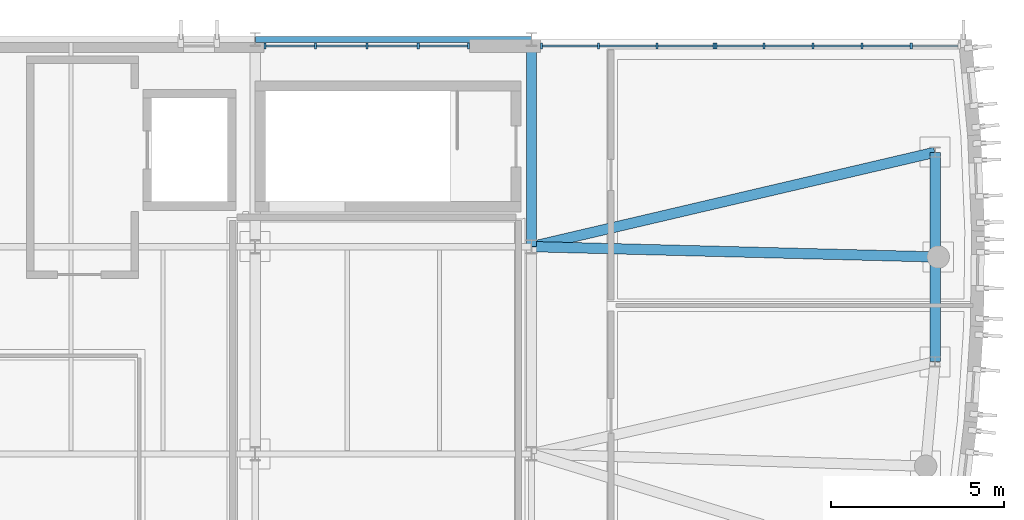
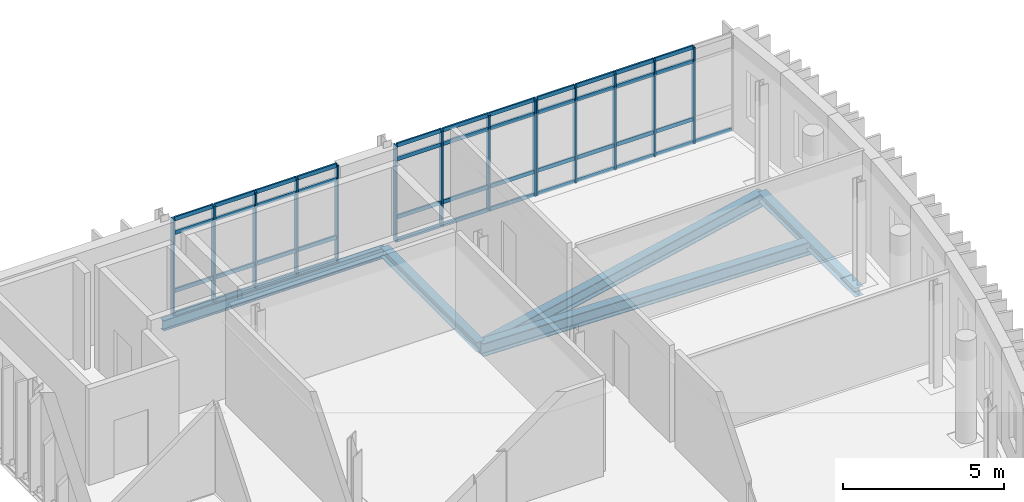
# One storey, part 3 of 9: 59 members, 5 beams, 3 elements without a shape of their own.
"""IFC4 building model written with IfcOpenShell, lengths in metres."""

from ifc_helpers import new_model, si_unit, direction, frame, origin, origin_2d, place, context, subcontext, project, spatial, rectangle, i_section, extrude, material, material_profile, profile_set, type_object, element, aggregate, save


model = new_model("IFC4")

# Units and contexts
model_context = context("Model", 3, precision=1e-05, world=origin(), true_north=direction((0.0, 1.0)))
body_context = subcontext(model_context, "Body", "Model", "MODEL_VIEW")
ifc_project = project(units=[si_unit("LENGTHUNIT", "METRE"), si_unit("AREAUNIT", "SQUARE_METRE"), si_unit("VOLUMEUNIT", "CUBIC_METRE"), si_unit("PLANEANGLEUNIT", "RADIAN"), si_unit("MASSUNIT", "GRAM", prefix="KILO")], contexts=[model_context])

# Site, building, storey
site_placement = place(None, origin())
site = spatial("IfcSite", under=ifc_project, at=site_placement, CompositionType="ELEMENT")
building_placement = place(site_placement, origin())
building = spatial("IfcBuilding", under=site, at=building_placement, Name="Cymarion Research Institute", CompositionType="ELEMENT")
storey_placement = place(building_placement, frame((0.0, 0.0, 42.300048828125)))
storey = spatial("IfcBuildingStorey", under=building, at=storey_placement, Name="L10", CompositionType="ELEMENT", Elevation=42.300048828125)

# Curtain wall, members
ifc_material_1 = material(Name="Anodised aluminium unitised curtain wall with Low-E glazing", Category="aluminium")
curtain_wall_type_1 = type_object("IfcCurtainWallType", Name="UNITISED CURTAIN WALL CW79 7100X3660", PredefinedType="NOTDEFINED", material=ifc_material_1)
curtain_wall_1_placement = place(storey_placement, origin())
curtain_wall_1 = element("IfcCurtainWall", 1, at=curtain_wall_1_placement, inside=storey, type_object=curtain_wall_type_1, Name="L10 V1 unitised curtain wall CW79 #255", PredefinedType="NOTDEFINED")
ifc_material_2 = material(Name="Anodised aluminium framing", Category="aluminium")
ifc_material_profile_1 = material_profile(ifc_material_2, rectangle(XDim=0.06005859375, YDim=0.179931640625, at=origin_2d()), Name="ALU MULLION 60x180")
ifc_profile_set_1 = profile_set([ifc_material_profile_1], Name="Anodised aluminium framing")
member_type_1 = type_object("IfcMemberType", Name="CURTAIN WALL MULLION ML01 60X180", PredefinedType="MULLION", material=ifc_profile_set_1)
member_1_placement = place(storey_placement, frame((165.59521484375, 29.31005859375, 0.0), z_axis=(0.0, 0.0, 1.0), x_axis=(-1.0, 0.0, 0.0)))
member_1 = element("IfcMember", 2, at=member_1_placement, type_object=member_type_1, Name="CW79 mullion 2", PredefinedType="MULLION", context=body_context, shape_type="SweptSolid", body=[
    extrude(rectangle(XDim=0.06005859375, YDim=0.179931640625, at=origin_2d()), origin(), (0.0, 0.0, 1.0), 3.659912109375),
])
member_2_placement = place(storey_placement, frame((164.17431640625, 29.31005859375, 0.0), z_axis=(0.0, 0.0, 1.0), x_axis=(-1.0, 0.0, 0.0)))
member_2 = element("IfcMember", 3, at=member_2_placement, type_object=member_type_1, Name="CW79 mullion 3", PredefinedType="MULLION", context=body_context, shape_type="SweptSolid", body=[
    extrude(rectangle(XDim=0.06005859375, YDim=0.179931640625, at=origin_2d()), origin(), (0.0, 0.0, 1.0), 3.659912109375),
])
member_3_placement = place(storey_placement, frame((162.75341796875, 29.31005859375, 0.0), z_axis=(0.0, 0.0, 1.0), x_axis=(-1.0, 0.0, 0.0)))
member_3 = element("IfcMember", 4, at=member_3_placement, type_object=member_type_1, Name="CW79 mullion 4", PredefinedType="MULLION", context=body_context, shape_type="SweptSolid", body=[
    extrude(rectangle(XDim=0.06005859375, YDim=0.179931640625, at=origin_2d()), origin(), (0.0, 0.0, 1.0), 3.659912109375),
])
member_4_placement = place(storey_placement, frame((161.332763671875, 29.31005859375, 0.0), z_axis=(0.0, 0.0, 1.0), x_axis=(-1.0, 0.0, 0.0)))
member_4 = element("IfcMember", 5, at=member_4_placement, type_object=member_type_1, Name="CW79 mullion 5", PredefinedType="MULLION", context=body_context, shape_type="SweptSolid", body=[
    extrude(rectangle(XDim=0.06005859375, YDim=0.179931640625, at=origin_2d()), origin(), (0.0, 0.0, 1.0), 3.659912109375),
])
member_5_placement = place(storey_placement, frame((159.94189453125, 29.31005859375, 0.0), z_axis=(0.0, 0.0, 1.0), x_axis=(-1.0, 0.0, 0.0)))
member_5 = element("IfcMember", 6, at=member_5_placement, type_object=member_type_1, Name="CW79 mullion 6", PredefinedType="MULLION", context=body_context, shape_type="SweptSolid", body=[
    extrude(rectangle(XDim=0.06005859375, YDim=0.179931640625, at=origin_2d()), origin(), (0.0, 0.0, 1.0), 3.659912109375),
])

curtain_wall_type_2 = type_object("IfcCurtainWallType", Name="UNITISED CURTAIN WALL CW80 5050X3660", PredefinedType="NOTDEFINED", material=ifc_material_1)
curtain_wall_2_placement = place(storey_placement, origin())
curtain_wall_2 = element("IfcCurtainWall", 7, at=curtain_wall_2_placement, inside=storey, type_object=curtain_wall_type_2, Name="L10 V1 unitised curtain wall CW80 #256", PredefinedType="NOTDEFINED")
member_6_placement = place(storey_placement, frame((159.8818359375, 29.31005859375, 0.0), z_axis=(0.0, 0.0, 1.0), x_axis=(-1.0, 0.0, 0.0)))
member_6 = element("IfcMember", 8, at=member_6_placement, type_object=member_type_1, Name="CW80 mullion 1", PredefinedType="MULLION", context=body_context, shape_type="SweptSolid", body=[
    extrude(rectangle(XDim=0.06005859375, YDim=0.179931640625, at=origin_2d()), origin(), (0.0, 0.0, 1.0), 3.659912109375),
])
member_7_placement = place(storey_placement, frame((158.22802734375, 29.31005859375, 0.0), z_axis=(0.0, 0.0, 1.0), x_axis=(-1.0, 0.0, 0.0)))
member_7 = element("IfcMember", 9, at=member_7_placement, type_object=member_type_1, Name="CW80 mullion 2", PredefinedType="MULLION", context=body_context, shape_type="SweptSolid", body=[
    extrude(rectangle(XDim=0.06005859375, YDim=0.179931640625, at=origin_2d()), origin(), (0.0, 0.0, 1.0), 3.659912109375),
])
member_8_placement = place(storey_placement, frame((156.5439453125, 29.31005859375, 0.0), z_axis=(0.0, 0.0, 1.0), x_axis=(-1.0, 0.0, 0.0)))
member_8 = element("IfcMember", 10, at=member_8_placement, type_object=member_type_1, Name="CW80 mullion 3", PredefinedType="MULLION", context=body_context, shape_type="SweptSolid", body=[
    extrude(rectangle(XDim=0.06005859375, YDim=0.179931640625, at=origin_2d()), origin(), (0.0, 0.0, 1.0), 3.659912109375),
])
member_9_placement = place(storey_placement, frame((154.889892578125, 29.31005859375, 0.0), z_axis=(0.0, 0.0, 1.0), x_axis=(-1.0, 0.0, 0.0)))
member_9 = element("IfcMember", 11, at=member_9_placement, type_object=member_type_1, Name="CW80 mullion 4", PredefinedType="MULLION", context=body_context, shape_type="SweptSolid", body=[
    extrude(rectangle(XDim=0.06005859375, YDim=0.179931640625, at=origin_2d()), origin(), (0.0, 0.0, 1.0), 3.659912109375),
])

curtain_wall_type_3 = type_object("IfcCurtainWallType", Name="UNITISED CURTAIN WALL CW81 5950X3660", PredefinedType="NOTDEFINED", material=ifc_material_1)
curtain_wall_3_placement = place(storey_placement, origin())
curtain_wall_3 = element("IfcCurtainWall", 12, at=curtain_wall_3_placement, inside=storey, type_object=curtain_wall_type_3, Name="L10 V1 unitised curtain wall CW81 #257", PredefinedType="NOTDEFINED")
member_10_placement = place(storey_placement, frame((152.77783203125, 29.31005859375, 0.0), z_axis=(0.0, 0.0, 1.0), x_axis=(-1.0, 0.0, 0.0)))
member_10 = element("IfcMember", 13, at=member_10_placement, type_object=member_type_1, Name="CW81 mullion 1", PredefinedType="MULLION", context=body_context, shape_type="SweptSolid", body=[
    extrude(rectangle(XDim=0.06005859375, YDim=0.179931640625, at=origin_2d()), origin(), (0.0, 0.0, 1.0), 3.659912109375),
])
member_11_placement = place(storey_placement, frame((151.321044921875, 29.31005859375, 0.0), z_axis=(0.0, 0.0, 1.0), x_axis=(-1.0, 0.0, 0.0)))
member_11 = element("IfcMember", 14, at=member_11_placement, type_object=member_type_1, Name="CW81 mullion 2", PredefinedType="MULLION", context=body_context, shape_type="SweptSolid", body=[
    extrude(rectangle(XDim=0.06005859375, YDim=0.179931640625, at=origin_2d()), origin(), (0.0, 0.0, 1.0), 3.659912109375),
])
member_12_placement = place(storey_placement, frame((149.833984375, 29.31005859375, 0.0), z_axis=(0.0, 0.0, 1.0), x_axis=(-1.0, 0.0, 0.0)))
member_12 = element("IfcMember", 15, at=member_12_placement, type_object=member_type_1, Name="CW81 mullion 3", PredefinedType="MULLION", context=body_context, shape_type="SweptSolid", body=[
    extrude(rectangle(XDim=0.06005859375, YDim=0.179931640625, at=origin_2d()), origin(), (0.0, 0.0, 1.0), 3.659912109375),
])
member_13_placement = place(storey_placement, frame((148.346923828125, 29.31005859375, 0.0), z_axis=(0.0, 0.0, 1.0), x_axis=(-1.0, 0.0, 0.0)))
member_13 = element("IfcMember", 16, at=member_13_placement, type_object=member_type_1, Name="CW81 mullion 4", PredefinedType="MULLION", context=body_context, shape_type="SweptSolid", body=[
    extrude(rectangle(XDim=0.06005859375, YDim=0.179931640625, at=origin_2d()), origin(), (0.0, 0.0, 1.0), 3.659912109375),
])
member_14_placement = place(storey_placement, frame((146.889892578125, 29.31005859375, 0.0), z_axis=(0.0, 0.0, 1.0), x_axis=(-1.0, 0.0, 0.0)))
member_14 = element("IfcMember", 17, at=member_14_placement, type_object=member_type_1, Name="CW81 mullion 5", PredefinedType="MULLION", context=body_context, shape_type="SweptSolid", body=[
    extrude(rectangle(XDim=0.06005859375, YDim=0.179931640625, at=origin_2d()), origin(), (0.0, 0.0, 1.0), 3.659912109375),
])

# Member
ifc_material_profile_2 = material_profile(ifc_material_2, rectangle(XDim=0.06005859375, YDim=0.14990234375, at=origin_2d()), Name="ALU TRANSOM 60x150")
ifc_profile_set_2 = profile_set([ifc_material_profile_2], Name="Anodised aluminium framing")
member_type_2 = type_object("IfcMemberType", Name="CURTAIN WALL TRANSOM TR01 60X150", PredefinedType="USERDEFINED", material=ifc_profile_set_2)
member_15_placement = place(storey_placement, frame((166.955810546875, 29.31005859375, 0.030029296875), z_axis=(-1.0, 0.0, 0.0), x_axis=(0.0, -1.0, 0.0)))
member_15 = element("IfcMember", 18, at=member_15_placement, type_object=member_type_2, Name="CW79 transom 1.1", ObjectType="TRANSOM", PredefinedType="USERDEFINED", context=body_context, shape_type="SweptSolid", body=[
    extrude(rectangle(XDim=0.06005859375, YDim=0.14990234375, at=origin_2d()), origin(), (0.0, 0.0, 1.0), 1.330810546875),
])

member_16_placement = place(storey_placement, frame((165.565185546875, 29.31005859375, 0.030029296875), z_axis=(-1.0, 0.0, 0.0), x_axis=(0.0, -1.0, 0.0)))
member_16 = element("IfcMember", 19, at=member_16_placement, type_object=member_type_2, Name="CW79 transom 2.1", ObjectType="TRANSOM", PredefinedType="USERDEFINED", context=body_context, shape_type="SweptSolid", body=[
    extrude(rectangle(XDim=0.06005859375, YDim=0.14990234375, at=origin_2d()), origin(), (0.0, 0.0, 1.0), 1.36083984375),
])

member_17_placement = place(storey_placement, frame((165.565185546875, 29.31005859375, 0.89990234375), z_axis=(-1.0, 0.0, 0.0), x_axis=(0.0, -1.0, 0.0)))
member_17 = element("IfcMember", 20, at=member_17_placement, type_object=member_type_2, Name="CW79 transom 2.2", ObjectType="TRANSOM", PredefinedType="USERDEFINED", context=body_context, shape_type="SweptSolid", body=[
    extrude(rectangle(XDim=0.06005859375, YDim=0.14990234375, at=origin_2d()), origin(), (0.0, 0.0, 1.0), 1.36083984375),
])

member_18_placement = place(storey_placement, frame((165.565185546875, 29.31005859375, 3.10986328125), z_axis=(-1.0, 0.0, 0.0), x_axis=(0.0, -1.0, 0.0)))
member_18 = element("IfcMember", 21, at=member_18_placement, type_object=member_type_2, Name="CW79 transom 2.3", ObjectType="TRANSOM", PredefinedType="USERDEFINED", context=body_context, shape_type="SweptSolid", body=[
    extrude(rectangle(XDim=0.06005859375, YDim=0.14990234375, at=origin_2d()), origin(), (0.0, 0.0, 1.0), 1.36083984375),
])

member_19_placement = place(storey_placement, frame((165.565185546875, 29.31005859375, 3.6298828125), z_axis=(-1.0, 0.0, 0.0), x_axis=(0.0, -1.0, 0.0)))
member_19 = element("IfcMember", 22, at=member_19_placement, type_object=member_type_2, Name="CW79 transom 2.4", ObjectType="TRANSOM", PredefinedType="USERDEFINED", context=body_context, shape_type="SweptSolid", body=[
    extrude(rectangle(XDim=0.06005859375, YDim=0.14990234375, at=origin_2d()), origin(), (0.0, 0.0, 1.0), 1.36083984375),
])

member_20_placement = place(storey_placement, frame((164.144287109375, 29.31005859375, 0.030029296875), z_axis=(-1.0, 0.0, 0.0), x_axis=(0.0, -1.0, 0.0)))
member_20 = element("IfcMember", 23, at=member_20_placement, type_object=member_type_2, Name="CW79 transom 3.1", ObjectType="TRANSOM", PredefinedType="USERDEFINED", context=body_context, shape_type="SweptSolid", body=[
    extrude(rectangle(XDim=0.06005859375, YDim=0.14990234375, at=origin_2d()), origin(), (0.0, 0.0, 1.0), 1.36083984375),
])

member_21_placement = place(storey_placement, frame((164.144287109375, 29.31005859375, 0.89990234375), z_axis=(-1.0, 0.0, 0.0), x_axis=(0.0, -1.0, 0.0)))
member_21 = element("IfcMember", 24, at=member_21_placement, type_object=member_type_2, Name="CW79 transom 3.2", ObjectType="TRANSOM", PredefinedType="USERDEFINED", context=body_context, shape_type="SweptSolid", body=[
    extrude(rectangle(XDim=0.06005859375, YDim=0.14990234375, at=origin_2d()), origin(), (0.0, 0.0, 1.0), 1.36083984375),
])

member_22_placement = place(storey_placement, frame((164.144287109375, 29.31005859375, 3.10986328125), z_axis=(-1.0, 0.0, 0.0), x_axis=(0.0, -1.0, 0.0)))
member_22 = element("IfcMember", 25, at=member_22_placement, type_object=member_type_2, Name="CW79 transom 3.3", ObjectType="TRANSOM", PredefinedType="USERDEFINED", context=body_context, shape_type="SweptSolid", body=[
    extrude(rectangle(XDim=0.06005859375, YDim=0.14990234375, at=origin_2d()), origin(), (0.0, 0.0, 1.0), 1.36083984375),
])

member_23_placement = place(storey_placement, frame((164.144287109375, 29.31005859375, 3.6298828125), z_axis=(-1.0, 0.0, 0.0), x_axis=(0.0, -1.0, 0.0)))
member_23 = element("IfcMember", 26, at=member_23_placement, type_object=member_type_2, Name="CW79 transom 3.4", ObjectType="TRANSOM", PredefinedType="USERDEFINED", context=body_context, shape_type="SweptSolid", body=[
    extrude(rectangle(XDim=0.06005859375, YDim=0.14990234375, at=origin_2d()), origin(), (0.0, 0.0, 1.0), 1.36083984375),
])

member_24_placement = place(storey_placement, frame((162.723388671875, 29.31005859375, 0.030029296875), z_axis=(-1.0, 0.0, 0.0), x_axis=(0.0, -1.0, 0.0)))
member_24 = element("IfcMember", 27, at=member_24_placement, type_object=member_type_2, Name="CW79 transom 4.1", ObjectType="TRANSOM", PredefinedType="USERDEFINED", context=body_context, shape_type="SweptSolid", body=[
    extrude(rectangle(XDim=0.06005859375, YDim=0.14990234375, at=origin_2d()), origin(), (0.0, 0.0, 1.0), 1.360595703125),
])

member_25_placement = place(storey_placement, frame((162.723388671875, 29.31005859375, 0.89990234375), z_axis=(-1.0, 0.0, 0.0), x_axis=(0.0, -1.0, 0.0)))
member_25 = element("IfcMember", 28, at=member_25_placement, type_object=member_type_2, Name="CW79 transom 4.2", ObjectType="TRANSOM", PredefinedType="USERDEFINED", context=body_context, shape_type="SweptSolid", body=[
    extrude(rectangle(XDim=0.06005859375, YDim=0.14990234375, at=origin_2d()), origin(), (0.0, 0.0, 1.0), 1.360595703125),
])

member_26_placement = place(storey_placement, frame((162.723388671875, 29.31005859375, 3.10986328125), z_axis=(-1.0, 0.0, 0.0), x_axis=(0.0, -1.0, 0.0)))
member_26 = element("IfcMember", 29, at=member_26_placement, type_object=member_type_2, Name="CW79 transom 4.3", ObjectType="TRANSOM", PredefinedType="USERDEFINED", context=body_context, shape_type="SweptSolid", body=[
    extrude(rectangle(XDim=0.06005859375, YDim=0.14990234375, at=origin_2d()), origin(), (0.0, 0.0, 1.0), 1.360595703125),
])

member_27_placement = place(storey_placement, frame((162.723388671875, 29.31005859375, 3.6298828125), z_axis=(-1.0, 0.0, 0.0), x_axis=(0.0, -1.0, 0.0)))
member_27 = element("IfcMember", 30, at=member_27_placement, type_object=member_type_2, Name="CW79 transom 4.4", ObjectType="TRANSOM", PredefinedType="USERDEFINED", context=body_context, shape_type="SweptSolid", body=[
    extrude(rectangle(XDim=0.06005859375, YDim=0.14990234375, at=origin_2d()), origin(), (0.0, 0.0, 1.0), 1.360595703125),
])

member_28_placement = place(storey_placement, frame((161.302734375, 29.31005859375, 0.030029296875), z_axis=(-1.0, 0.0, 0.0), x_axis=(0.0, -1.0, 0.0)))
member_28 = element("IfcMember", 31, at=member_28_placement, type_object=member_type_2, Name="CW79 transom 5.1", ObjectType="TRANSOM", PredefinedType="USERDEFINED", context=body_context, shape_type="SweptSolid", body=[
    extrude(rectangle(XDim=0.06005859375, YDim=0.14990234375, at=origin_2d()), origin(), (0.0, 0.0, 1.0), 1.330810546875),
])

member_29_placement = place(storey_placement, frame((161.302734375, 29.31005859375, 0.89990234375), z_axis=(-1.0, 0.0, 0.0), x_axis=(0.0, -1.0, 0.0)))
member_29 = element("IfcMember", 32, at=member_29_placement, type_object=member_type_2, Name="CW79 transom 5.2", ObjectType="TRANSOM", PredefinedType="USERDEFINED", context=body_context, shape_type="SweptSolid", body=[
    extrude(rectangle(XDim=0.06005859375, YDim=0.14990234375, at=origin_2d()), origin(), (0.0, 0.0, 1.0), 1.330810546875),
])

member_30_placement = place(storey_placement, frame((161.302734375, 29.31005859375, 3.10986328125), z_axis=(-1.0, 0.0, 0.0), x_axis=(0.0, -1.0, 0.0)))
member_30 = element("IfcMember", 33, at=member_30_placement, type_object=member_type_2, Name="CW79 transom 5.3", ObjectType="TRANSOM", PredefinedType="USERDEFINED", context=body_context, shape_type="SweptSolid", body=[
    extrude(rectangle(XDim=0.06005859375, YDim=0.14990234375, at=origin_2d()), origin(), (0.0, 0.0, 1.0), 1.330810546875),
])

member_31_placement = place(storey_placement, frame((161.302734375, 29.31005859375, 3.6298828125), z_axis=(-1.0, 0.0, 0.0), x_axis=(0.0, -1.0, 0.0)))
member_31 = element("IfcMember", 34, at=member_31_placement, type_object=member_type_2, Name="CW79 transom 5.4", ObjectType="TRANSOM", PredefinedType="USERDEFINED", context=body_context, shape_type="SweptSolid", body=[
    extrude(rectangle(XDim=0.06005859375, YDim=0.14990234375, at=origin_2d()), origin(), (0.0, 0.0, 1.0), 1.330810546875),
])

aggregate(curtain_wall_1, [member_1, member_2, member_3, member_4, member_5, member_15, member_16, member_17, member_18, member_19, member_20, member_21, member_22, member_23, member_24, member_25, member_26, member_27, member_28, member_29, member_30, member_31])

member_32_placement = place(storey_placement, frame((159.851806640625, 29.31005859375, 0.030029296875), z_axis=(-1.0, 0.0, 0.0), x_axis=(0.0, -1.0, 0.0)))
member_32 = element("IfcMember", 35, at=member_32_placement, type_object=member_type_2, Name="CW80 transom 1.1", ObjectType="TRANSOM", PredefinedType="USERDEFINED", context=body_context, shape_type="SweptSolid", body=[
    extrude(rectangle(XDim=0.06005859375, YDim=0.14990234375, at=origin_2d()), origin(), (0.0, 0.0, 1.0), 1.593994140625),
])

member_33_placement = place(storey_placement, frame((159.851806640625, 29.31005859375, 0.89990234375), z_axis=(-1.0, 0.0, 0.0), x_axis=(0.0, -1.0, 0.0)))
member_33 = element("IfcMember", 36, at=member_33_placement, type_object=member_type_2, Name="CW80 transom 1.2", ObjectType="TRANSOM", PredefinedType="USERDEFINED", context=body_context, shape_type="SweptSolid", body=[
    extrude(rectangle(XDim=0.06005859375, YDim=0.14990234375, at=origin_2d()), origin(), (0.0, 0.0, 1.0), 1.593994140625),
])

member_34_placement = place(storey_placement, frame((159.851806640625, 29.31005859375, 3.10986328125), z_axis=(-1.0, 0.0, 0.0), x_axis=(0.0, -1.0, 0.0)))
member_34 = element("IfcMember", 37, at=member_34_placement, type_object=member_type_2, Name="CW80 transom 1.3", ObjectType="TRANSOM", PredefinedType="USERDEFINED", context=body_context, shape_type="SweptSolid", body=[
    extrude(rectangle(XDim=0.06005859375, YDim=0.14990234375, at=origin_2d()), origin(), (0.0, 0.0, 1.0), 1.593994140625),
])

member_35_placement = place(storey_placement, frame((159.851806640625, 29.31005859375, 3.6298828125), z_axis=(-1.0, 0.0, 0.0), x_axis=(0.0, -1.0, 0.0)))
member_35 = element("IfcMember", 38, at=member_35_placement, type_object=member_type_2, Name="CW80 transom 1.4", ObjectType="TRANSOM", PredefinedType="USERDEFINED", context=body_context, shape_type="SweptSolid", body=[
    extrude(rectangle(XDim=0.06005859375, YDim=0.14990234375, at=origin_2d()), origin(), (0.0, 0.0, 1.0), 1.593994140625),
])

member_36_placement = place(storey_placement, frame((158.197998046875, 29.31005859375, 0.030029296875), z_axis=(-1.0, 0.0, 0.0), x_axis=(0.0, -1.0, 0.0)))
member_36 = element("IfcMember", 39, at=member_36_placement, type_object=member_type_2, Name="CW80 transom 2.1", ObjectType="TRANSOM", PredefinedType="USERDEFINED", context=body_context, shape_type="SweptSolid", body=[
    extrude(rectangle(XDim=0.06005859375, YDim=0.14990234375, at=origin_2d()), origin(), (0.0, 0.0, 1.0), 1.6240234375),
])

member_37_placement = place(storey_placement, frame((158.197998046875, 29.31005859375, 0.89990234375), z_axis=(-1.0, 0.0, 0.0), x_axis=(0.0, -1.0, 0.0)))
member_37 = element("IfcMember", 40, at=member_37_placement, type_object=member_type_2, Name="CW80 transom 2.2", ObjectType="TRANSOM", PredefinedType="USERDEFINED", context=body_context, shape_type="SweptSolid", body=[
    extrude(rectangle(XDim=0.06005859375, YDim=0.14990234375, at=origin_2d()), origin(), (0.0, 0.0, 1.0), 1.6240234375),
])

member_38_placement = place(storey_placement, frame((158.197998046875, 29.31005859375, 3.10986328125), z_axis=(-1.0, 0.0, 0.0), x_axis=(0.0, -1.0, 0.0)))
member_38 = element("IfcMember", 41, at=member_38_placement, type_object=member_type_2, Name="CW80 transom 2.3", ObjectType="TRANSOM", PredefinedType="USERDEFINED", context=body_context, shape_type="SweptSolid", body=[
    extrude(rectangle(XDim=0.06005859375, YDim=0.14990234375, at=origin_2d()), origin(), (0.0, 0.0, 1.0), 1.6240234375),
])

member_39_placement = place(storey_placement, frame((158.197998046875, 29.31005859375, 3.6298828125), z_axis=(-1.0, 0.0, 0.0), x_axis=(0.0, -1.0, 0.0)))
member_39 = element("IfcMember", 42, at=member_39_placement, type_object=member_type_2, Name="CW80 transom 2.4", ObjectType="TRANSOM", PredefinedType="USERDEFINED", context=body_context, shape_type="SweptSolid", body=[
    extrude(rectangle(XDim=0.06005859375, YDim=0.14990234375, at=origin_2d()), origin(), (0.0, 0.0, 1.0), 1.6240234375),
])

member_40_placement = place(storey_placement, frame((156.513916015625, 29.31005859375, 0.030029296875), z_axis=(-1.0, 0.0, 0.0), x_axis=(0.0, -1.0, 0.0)))
member_40 = element("IfcMember", 43, at=member_40_placement, type_object=member_type_2, Name="CW80 transom 3.1", ObjectType="TRANSOM", PredefinedType="USERDEFINED", context=body_context, shape_type="SweptSolid", body=[
    extrude(rectangle(XDim=0.06005859375, YDim=0.14990234375, at=origin_2d()), origin(), (0.0, 0.0, 1.0), 1.593994140625),
])

member_41_placement = place(storey_placement, frame((156.513916015625, 29.31005859375, 0.89990234375), z_axis=(-1.0, 0.0, 0.0), x_axis=(0.0, -1.0, 0.0)))
member_41 = element("IfcMember", 44, at=member_41_placement, type_object=member_type_2, Name="CW80 transom 3.2", ObjectType="TRANSOM", PredefinedType="USERDEFINED", context=body_context, shape_type="SweptSolid", body=[
    extrude(rectangle(XDim=0.06005859375, YDim=0.14990234375, at=origin_2d()), origin(), (0.0, 0.0, 1.0), 1.593994140625),
])

member_42_placement = place(storey_placement, frame((156.513916015625, 29.31005859375, 3.10986328125), z_axis=(-1.0, 0.0, 0.0), x_axis=(0.0, -1.0, 0.0)))
member_42 = element("IfcMember", 45, at=member_42_placement, type_object=member_type_2, Name="CW80 transom 3.3", ObjectType="TRANSOM", PredefinedType="USERDEFINED", context=body_context, shape_type="SweptSolid", body=[
    extrude(rectangle(XDim=0.06005859375, YDim=0.14990234375, at=origin_2d()), origin(), (0.0, 0.0, 1.0), 1.593994140625),
])

member_43_placement = place(storey_placement, frame((156.513916015625, 29.31005859375, 3.6298828125), z_axis=(-1.0, 0.0, 0.0), x_axis=(0.0, -1.0, 0.0)))
member_43 = element("IfcMember", 46, at=member_43_placement, type_object=member_type_2, Name="CW80 transom 3.4", ObjectType="TRANSOM", PredefinedType="USERDEFINED", context=body_context, shape_type="SweptSolid", body=[
    extrude(rectangle(XDim=0.06005859375, YDim=0.14990234375, at=origin_2d()), origin(), (0.0, 0.0, 1.0), 1.593994140625),
])

aggregate(curtain_wall_2, [member_6, member_7, member_8, member_9, member_32, member_33, member_34, member_35, member_36, member_37, member_38, member_39, member_40, member_41, member_42, member_43])

member_44_placement = place(storey_placement, frame((152.747802734375, 29.31005859375, 0.030029296875), z_axis=(-1.0, 0.0, 0.0), x_axis=(0.0, -1.0, 0.0)))
member_44 = element("IfcMember", 47, at=member_44_placement, type_object=member_type_2, Name="CW81 transom 1.1", ObjectType="TRANSOM", PredefinedType="USERDEFINED", context=body_context, shape_type="SweptSolid", body=[
    extrude(rectangle(XDim=0.06005859375, YDim=0.14990234375, at=origin_2d()), origin(), (0.0, 0.0, 1.0), 1.39697265625),
])

member_45_placement = place(storey_placement, frame((152.747802734375, 29.31005859375, 0.89990234375), z_axis=(-1.0, 0.0, 0.0), x_axis=(0.0, -1.0, 0.0)))
member_45 = element("IfcMember", 48, at=member_45_placement, type_object=member_type_2, Name="CW81 transom 1.2", ObjectType="TRANSOM", PredefinedType="USERDEFINED", context=body_context, shape_type="SweptSolid", body=[
    extrude(rectangle(XDim=0.06005859375, YDim=0.14990234375, at=origin_2d()), origin(), (0.0, 0.0, 1.0), 1.39697265625),
])

member_46_placement = place(storey_placement, frame((152.747802734375, 29.31005859375, 3.10986328125), z_axis=(-1.0, 0.0, 0.0), x_axis=(0.0, -1.0, 0.0)))
member_46 = element("IfcMember", 49, at=member_46_placement, type_object=member_type_2, Name="CW81 transom 1.3", ObjectType="TRANSOM", PredefinedType="USERDEFINED", context=body_context, shape_type="SweptSolid", body=[
    extrude(rectangle(XDim=0.06005859375, YDim=0.14990234375, at=origin_2d()), origin(), (0.0, 0.0, 1.0), 1.39697265625),
])

member_47_placement = place(storey_placement, frame((152.747802734375, 29.31005859375, 3.6298828125), z_axis=(-1.0, 0.0, 0.0), x_axis=(0.0, -1.0, 0.0)))
member_47 = element("IfcMember", 50, at=member_47_placement, type_object=member_type_2, Name="CW81 transom 1.4", ObjectType="TRANSOM", PredefinedType="USERDEFINED", context=body_context, shape_type="SweptSolid", body=[
    extrude(rectangle(XDim=0.06005859375, YDim=0.14990234375, at=origin_2d()), origin(), (0.0, 0.0, 1.0), 1.39697265625),
])

member_48_placement = place(storey_placement, frame((151.291015625, 29.31005859375, 0.030029296875), z_axis=(-1.0, 0.0, 0.0), x_axis=(0.0, -1.0, 0.0)))
member_48 = element("IfcMember", 51, at=member_48_placement, type_object=member_type_2, Name="CW81 transom 2.1", ObjectType="TRANSOM", PredefinedType="USERDEFINED", context=body_context, shape_type="SweptSolid", body=[
    extrude(rectangle(XDim=0.06005859375, YDim=0.14990234375, at=origin_2d()), origin(), (0.0, 0.0, 1.0), 1.427001953125),
])

member_49_placement = place(storey_placement, frame((151.291015625, 29.31005859375, 0.89990234375), z_axis=(-1.0, 0.0, 0.0), x_axis=(0.0, -1.0, 0.0)))
member_49 = element("IfcMember", 52, at=member_49_placement, type_object=member_type_2, Name="CW81 transom 2.2", ObjectType="TRANSOM", PredefinedType="USERDEFINED", context=body_context, shape_type="SweptSolid", body=[
    extrude(rectangle(XDim=0.06005859375, YDim=0.14990234375, at=origin_2d()), origin(), (0.0, 0.0, 1.0), 1.427001953125),
])

member_50_placement = place(storey_placement, frame((151.291015625, 29.31005859375, 3.10986328125), z_axis=(-1.0, 0.0, 0.0), x_axis=(0.0, -1.0, 0.0)))
member_50 = element("IfcMember", 53, at=member_50_placement, type_object=member_type_2, Name="CW81 transom 2.3", ObjectType="TRANSOM", PredefinedType="USERDEFINED", context=body_context, shape_type="SweptSolid", body=[
    extrude(rectangle(XDim=0.06005859375, YDim=0.14990234375, at=origin_2d()), origin(), (0.0, 0.0, 1.0), 1.427001953125),
])

member_51_placement = place(storey_placement, frame((151.291015625, 29.31005859375, 3.6298828125), z_axis=(-1.0, 0.0, 0.0), x_axis=(0.0, -1.0, 0.0)))
member_51 = element("IfcMember", 54, at=member_51_placement, type_object=member_type_2, Name="CW81 transom 2.4", ObjectType="TRANSOM", PredefinedType="USERDEFINED", context=body_context, shape_type="SweptSolid", body=[
    extrude(rectangle(XDim=0.06005859375, YDim=0.14990234375, at=origin_2d()), origin(), (0.0, 0.0, 1.0), 1.427001953125),
])

member_52_placement = place(storey_placement, frame((149.803955078125, 29.31005859375, 0.030029296875), z_axis=(-1.0, 0.0, 0.0), x_axis=(0.0, -1.0, 0.0)))
member_52 = element("IfcMember", 55, at=member_52_placement, type_object=member_type_2, Name="CW81 transom 3.1", ObjectType="TRANSOM", PredefinedType="USERDEFINED", context=body_context, shape_type="SweptSolid", body=[
    extrude(rectangle(XDim=0.06005859375, YDim=0.14990234375, at=origin_2d()), origin(), (0.0, 0.0, 1.0), 1.427001953125),
])

member_53_placement = place(storey_placement, frame((149.803955078125, 29.31005859375, 0.89990234375), z_axis=(-1.0, 0.0, 0.0), x_axis=(0.0, -1.0, 0.0)))
member_53 = element("IfcMember", 56, at=member_53_placement, type_object=member_type_2, Name="CW81 transom 3.2", ObjectType="TRANSOM", PredefinedType="USERDEFINED", context=body_context, shape_type="SweptSolid", body=[
    extrude(rectangle(XDim=0.06005859375, YDim=0.14990234375, at=origin_2d()), origin(), (0.0, 0.0, 1.0), 1.427001953125),
])

member_54_placement = place(storey_placement, frame((149.803955078125, 29.31005859375, 3.10986328125), z_axis=(-1.0, 0.0, 0.0), x_axis=(0.0, -1.0, 0.0)))
member_54 = element("IfcMember", 57, at=member_54_placement, type_object=member_type_2, Name="CW81 transom 3.3", ObjectType="TRANSOM", PredefinedType="USERDEFINED", context=body_context, shape_type="SweptSolid", body=[
    extrude(rectangle(XDim=0.06005859375, YDim=0.14990234375, at=origin_2d()), origin(), (0.0, 0.0, 1.0), 1.427001953125),
])

member_55_placement = place(storey_placement, frame((149.803955078125, 29.31005859375, 3.6298828125), z_axis=(-1.0, 0.0, 0.0), x_axis=(0.0, -1.0, 0.0)))
member_55 = element("IfcMember", 58, at=member_55_placement, type_object=member_type_2, Name="CW81 transom 3.4", ObjectType="TRANSOM", PredefinedType="USERDEFINED", context=body_context, shape_type="SweptSolid", body=[
    extrude(rectangle(XDim=0.06005859375, YDim=0.14990234375, at=origin_2d()), origin(), (0.0, 0.0, 1.0), 1.427001953125),
])

member_56_placement = place(storey_placement, frame((148.31689453125, 29.31005859375, 0.030029296875), z_axis=(-1.0, 0.0, 0.0), x_axis=(0.0, -1.0, 0.0)))
member_56 = element("IfcMember", 59, at=member_56_placement, type_object=member_type_2, Name="CW81 transom 4.1", ObjectType="TRANSOM", PredefinedType="USERDEFINED", context=body_context, shape_type="SweptSolid", body=[
    extrude(rectangle(XDim=0.06005859375, YDim=0.14990234375, at=origin_2d()), origin(), (0.0, 0.0, 1.0), 1.39697265625),
])

member_57_placement = place(storey_placement, frame((148.31689453125, 29.31005859375, 0.89990234375), z_axis=(-1.0, 0.0, 0.0), x_axis=(0.0, -1.0, 0.0)))
member_57 = element("IfcMember", 60, at=member_57_placement, type_object=member_type_2, Name="CW81 transom 4.2", ObjectType="TRANSOM", PredefinedType="USERDEFINED", context=body_context, shape_type="SweptSolid", body=[
    extrude(rectangle(XDim=0.06005859375, YDim=0.14990234375, at=origin_2d()), origin(), (0.0, 0.0, 1.0), 1.39697265625),
])

member_58_placement = place(storey_placement, frame((148.31689453125, 29.31005859375, 3.10986328125), z_axis=(-1.0, 0.0, 0.0), x_axis=(0.0, -1.0, 0.0)))
member_58 = element("IfcMember", 61, at=member_58_placement, type_object=member_type_2, Name="CW81 transom 4.3", ObjectType="TRANSOM", PredefinedType="USERDEFINED", context=body_context, shape_type="SweptSolid", body=[
    extrude(rectangle(XDim=0.06005859375, YDim=0.14990234375, at=origin_2d()), origin(), (0.0, 0.0, 1.0), 1.39697265625),
])

member_59_placement = place(storey_placement, frame((148.31689453125, 29.31005859375, 3.6298828125), z_axis=(-1.0, 0.0, 0.0), x_axis=(0.0, -1.0, 0.0)))
member_59 = element("IfcMember", 62, at=member_59_placement, type_object=member_type_2, Name="CW81 transom 4.4", ObjectType="TRANSOM", PredefinedType="USERDEFINED", context=body_context, shape_type="SweptSolid", body=[
    extrude(rectangle(XDim=0.06005859375, YDim=0.14990234375, at=origin_2d()), origin(), (0.0, 0.0, 1.0), 1.39697265625),
])

aggregate(curtain_wall_3, [member_10, member_11, member_12, member_13, member_14, member_44, member_45, member_46, member_47, member_48, member_49, member_50, member_51, member_52, member_53, member_54, member_55, member_56, member_57, member_58, member_59])

# Beams
ifc_material_3 = material(Name="Steel S355", Category="steel")
ifc_material_profile_3 = material_profile(ifc_material_3, i_section(OverallWidth=0.179931640625, OverallDepth=0.39990234375, WebThickness=0.008544921875, FlangeThickness=0.013427734375, FilletRadius=0.02099609375, at=origin_2d()), Name="IPE 400")
ifc_profile_set_3 = profile_set([ifc_material_profile_3], Name="Steel S355")
beam_type_1 = type_object("IfcBeamType", Name="PRIMARY GIRDER BM05 IPE 400", PredefinedType="BEAM", material=ifc_profile_set_3)
beam_1_placement = place(storey_placement, frame((146.60595703125, 29.5, -0.400146484375), z_axis=(1.0, 0.0, 0.0), x_axis=(0.0, 1.0, 0.0)))
element("IfcBeam", 63, at=beam_1_placement, inside=storey, type_object=beam_type_1, Name="L10 V1 girder BM05 #2427", PredefinedType="BEAM", context=body_context, shape_type="SweptSolid", body=[
    extrude(i_section(OverallWidth=0.179931640625, OverallDepth=0.39990234375, WebThickness=0.008544921875, FlangeThickness=0.013427734375, FilletRadius=0.02099609375, at=origin_2d()), origin(), (0.0, 0.0, 1.0), 7.988037109375),
])
ifc_material_profile_4 = material_profile(ifc_material_3, i_section(OverallWidth=0.300048828125, OverallDepth=0.5, WebThickness=0.014404296875, FlangeThickness=0.028076171875, FilletRadius=0.027099609375, at=origin_2d()), Name="HEB 500")
ifc_profile_set_4 = profile_set([ifc_material_profile_4], Name="Steel S355")
beam_type_2 = type_object("IfcBeamType", Name="PRIMARY GIRDER BM09 HEB 500", PredefinedType="BEAM", material=ifc_profile_set_4)
beam_2_placement = place(storey_placement, frame((154.60791015625, 23.499755859375, -0.449951171875), z_axis=(0.999675752574, -0.025463497715, 0.0), x_axis=(0.025463497715, 0.999675752574, 0.0)))
element("IfcBeam", 64, at=beam_2_placement, inside=storey, type_object=beam_type_2, Name="L10 V1 radial prow girder BM09 #2447", PredefinedType="BEAM", context=body_context, shape_type="SweptSolid", body=[
    extrude(i_section(OverallWidth=0.300048828125, OverallDepth=0.5, WebThickness=0.014404296875, FlangeThickness=0.028076171875, FilletRadius=0.027099609375, at=origin_2d()), origin(), (0.0, 0.0, 1.0), 11.764404296875),
])
beam_3_placement = place(storey_placement, frame((154.60791015625, 23.501708984375, -0.449951171875), z_axis=(0.973701737176, 0.22782652835, 0.0), x_axis=(-0.22782652835, 0.973701737176, 0.0)))
element("IfcBeam", 65, at=beam_3_placement, inside=storey, type_object=beam_type_2, Name="L10 V1 radial prow girder BM09 #2448", PredefinedType="BEAM", context=body_context, shape_type="SweptSolid", body=[
    extrude(i_section(OverallWidth=0.300048828125, OverallDepth=0.5, WebThickness=0.014404296875, FlangeThickness=0.028076171875, FilletRadius=0.027099609375, at=origin_2d()), origin(), (0.0, 0.0, 1.0), 11.98486328125),
])
ifc_material_profile_5 = material_profile(ifc_material_3, i_section(OverallWidth=0.300048828125, OverallDepth=0.35009765625, WebThickness=0.010009765625, FlangeThickness=0.017578125, FilletRadius=0.027099609375, at=origin_2d()), Name="HEA 360")
ifc_profile_set_5 = profile_set([ifc_material_profile_5], Name="Steel S355")
beam_type_3 = type_object("IfcBeamType", Name="PRIMARY GIRDER BM12 HEA 360", PredefinedType="BEAM", material=ifc_profile_set_5)
beam_4_placement = place(storey_placement, frame((154.60009765625, 23.506103515625, -0.375), z_axis=(0.0, 1.0, 0.0), x_axis=(-1.0, 0.0, 0.0)))
element("IfcBeam", 66, at=beam_4_placement, inside=storey, type_object=beam_type_3, Name="L10 V1 girder BM12 #2437", PredefinedType="BEAM", context=body_context, shape_type="SweptSolid", body=[
    extrude(i_section(OverallWidth=0.300048828125, OverallDepth=0.35009765625, WebThickness=0.010009765625, FlangeThickness=0.017578125, FilletRadius=0.027099609375, at=origin_2d()), origin(), (0.0, 0.0, 1.0), 5.98779296875),
])
beam_5_placement = place(storey_placement, frame((166.2900390625, 20.172119140625, -0.375), z_axis=(0.0, 1.0, 0.0), x_axis=(-1.0, 0.0, 0.0)))
element("IfcBeam", 67, at=beam_5_placement, inside=storey, type_object=beam_type_3, Name="L10 V1 girder BM12 #2438", PredefinedType="BEAM", context=body_context, shape_type="SweptSolid", body=[
    extrude(i_section(OverallWidth=0.300048828125, OverallDepth=0.35009765625, WebThickness=0.010009765625, FlangeThickness=0.017578125, FilletRadius=0.027099609375, at=origin_2d()), origin(), (0.0, 0.0, 1.0), 6.055908203125),
])

save(model, "model.ifc")
